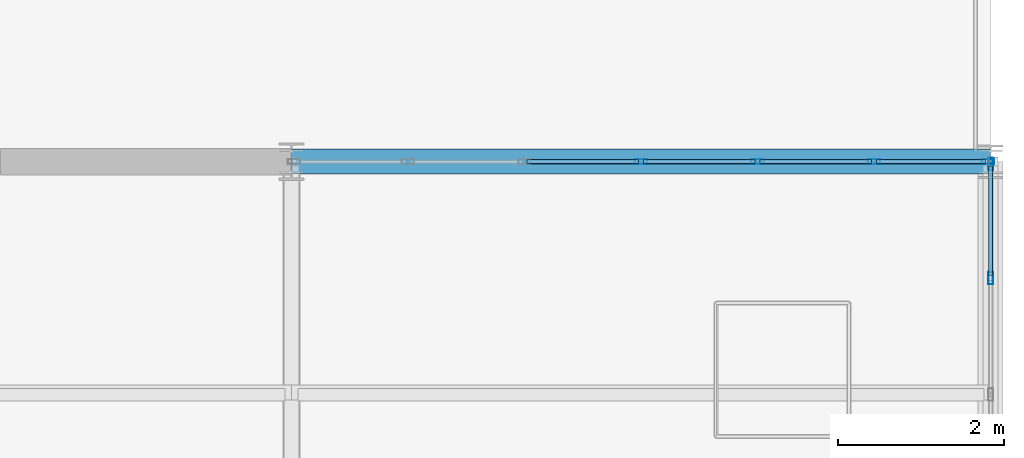
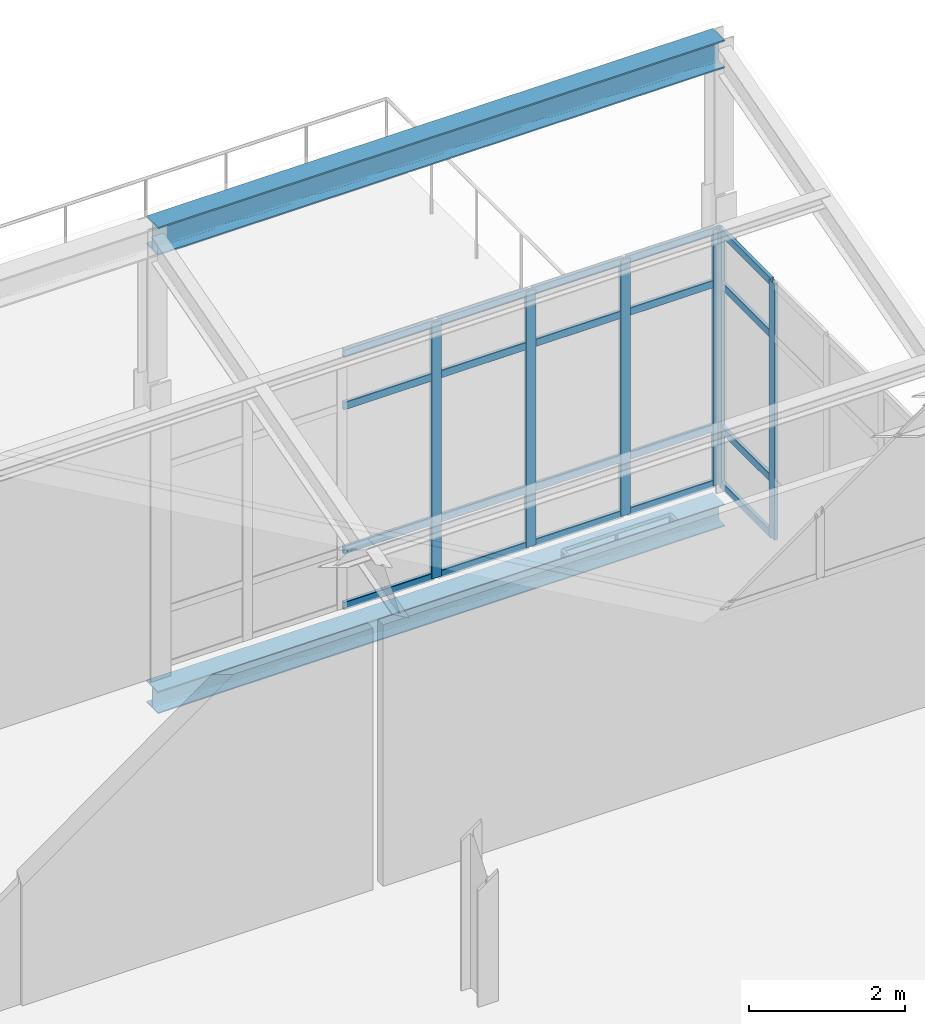
# One storey, part 45 of 53: 26 members, 2 beams, 2 elements without a shape of their own.
"""IFC4 building model written with IfcOpenShell, lengths in metres."""

from ifc_helpers import new_model, si_unit, direction, frame, origin, origin_2d, place, context, subcontext, project, spatial, hollow_rectangle, i_section, extrude, material, layer, layer_set, material_profile, profile_set, type_object, element, aggregate, save


model = new_model("IFC4")

# Units and contexts
model_context = context("Model", 3, precision=1e-05, world=origin(), true_north=direction((0.0, 1.0)))
body_context = subcontext(model_context, "Body", "Model", "MODEL_VIEW")
ifc_project = project(units=[si_unit("LENGTHUNIT", "METRE"), si_unit("AREAUNIT", "SQUARE_METRE"), si_unit("VOLUMEUNIT", "CUBIC_METRE"), si_unit("PLANEANGLEUNIT", "RADIAN"), si_unit("MASSUNIT", "GRAM", prefix="KILO")], contexts=[model_context])

# Site, building, storey
site_placement = place(None, origin())
site = spatial("IfcSite", under=ifc_project, at=site_placement, CompositionType="ELEMENT")
building_placement = place(site_placement, origin())
building = spatial("IfcBuilding", under=site, at=building_placement, Name="Qalvenar Corner Mobility Hub", CompositionType="ELEMENT")
storey_placement = place(building_placement, frame((0.0, 0.0, 26.39990234375)))
storey = spatial("IfcBuildingStorey", under=building, at=storey_placement, Name="L06", CompositionType="ELEMENT", Elevation=26.39990234375)

# Beams
ifc_material_1 = material(Name="Steel S355", Category="steel")
ifc_material_profile_1 = material_profile(ifc_material_1, i_section(OverallWidth=0.300048828125, OverallDepth=0.43994140625, WebThickness=0.011474609375, FlangeThickness=0.02099609375, FilletRadius=0.027099609375, at=origin_2d()), Name="HEA450")
ifc_profile_set_1 = profile_set([ifc_material_profile_1], Name="Steel S355")
beam_type_1 = type_object("IfcBeamType", Name="BM-HEA450", PredefinedType="BEAM", material=ifc_profile_set_1)
beam_1_placement = place(storey_placement, frame((33.60009765625, 33.60009765625, 6.81005859375), z_axis=(1.0, 0.0, 0.0), x_axis=(0.0, 1.0, 0.0)))
element("IfcBeam", 1, at=beam_1_placement, inside=storey, type_object=beam_type_1, Name="Sawtooth Ridge Girder V3RDG-4-5", PredefinedType="BEAM", context=body_context, shape_type="SweptSolid", body=[
    extrude(i_section(OverallWidth=0.300048828125, OverallDepth=0.43994140625, WebThickness=0.011474609375, FlangeThickness=0.02099609375, FilletRadius=0.027099609375, at=origin_2d()), origin(), (0.0, 0.0, 1.0), 8.39990234375),
])
ifc_material_profile_2 = material_profile(ifc_material_1, i_section(OverallWidth=0.300048828125, OverallDepth=0.35009765625, WebThickness=0.010009765625, FlangeThickness=0.017578125, FilletRadius=0.027099609375, at=origin_2d()), Name="HEA360")
ifc_profile_set_2 = profile_set([ifc_material_profile_2], Name="Steel S355")
beam_type_2 = type_object("IfcBeamType", Name="BM-SPN360", PredefinedType="SPANDREL", material=ifc_profile_set_2)
beam_2_placement = place(storey_placement, frame((33.60009765625, 33.60009765625, -0.4169921875), z_axis=(1.0, 0.0, 0.0), x_axis=(0.0, 1.0, 0.0)))
element("IfcBeam", 2, at=beam_2_placement, inside=storey, type_object=beam_type_2, Name="Primary Steel Girder GX-3076", PredefinedType="SPANDREL", context=body_context, shape_type="SweptSolid", body=[
    extrude(i_section(OverallWidth=0.300048828125, OverallDepth=0.35009765625, WebThickness=0.010009765625, FlangeThickness=0.017578125, FilletRadius=0.027099609375, at=origin_2d()), origin(), (0.0, 0.0, 1.0), 8.39990234375),
])

# Curtain wall, members
ifc_material_2 = material(Name="Anodised Aluminium and Low-E Glazing", Category="aluminium")
ifc_layer_1 = layer(ifc_material_2, 0.14990234375)
ifc_layer_set_1 = layer_set([ifc_layer_1], Name="Anodised Aluminium and Low-E Glazing")
curtain_wall_type_1 = type_object("IfcCurtainWallType", Name="CW-CIV-84X40", PredefinedType="NOTDEFINED", material=ifc_layer_set_1)
curtain_wall_1_placement = place(storey_placement, origin())
curtain_wall_1 = element("IfcCurtainWall", 3, at=curtain_wall_1_placement, inside=storey, type_object=curtain_wall_type_1, Name="Glazed Curtain Wall CW-V3-L06-N4", PredefinedType="NOTDEFINED")
ifc_material_3 = material(Name="Anodised Aluminium 6063-T6", Category="aluminium")
ifc_material_profile_3 = material_profile(ifc_material_3, hollow_rectangle(XDim=0.06005859375, YDim=0.14990234375, WallThickness=0.00390625, InnerFilletRadius=0.00390625, OuterFilletRadius=0.008056640625, at=origin_2d()), Name="RHS150x60x4")
ifc_profile_set_3 = profile_set([ifc_material_profile_3], Name="Anodised Aluminium 6063-T6")
member_type_1 = type_object("IfcMemberType", Name="CW-MUL150", PredefinedType="MULLION", material=ifc_profile_set_3)
member_1_placement = place(storey_placement, frame((41.969970703125, 33.60009765625, 0.0), z_axis=(0.0, 0.0, 1.0), x_axis=(0.0, -1.0, 0.0)))
member_1 = element("IfcMember", 4, at=member_1_placement, type_object=member_type_1, Name="CW-05 mullion 1", PredefinedType="MULLION", context=body_context, shape_type="SweptSolid", body=[
    extrude(hollow_rectangle(XDim=0.06005859375, YDim=0.14990234375, WallThickness=0.00390625, InnerFilletRadius=0.00390625, OuterFilletRadius=0.008056640625, at=origin_2d()), origin(), (0.0, 0.0, 1.0), 4.010009765625),
])
member_2_placement = place(storey_placement, frame((40.60009765625, 33.60009765625, 0.0), z_axis=(0.0, 0.0, 1.0), x_axis=(0.0, -1.0, 0.0)))
member_2 = element("IfcMember", 5, at=member_2_placement, type_object=member_type_1, Name="CW-05 mullion 2", PredefinedType="MULLION", context=body_context, shape_type="SweptSolid", body=[
    extrude(hollow_rectangle(XDim=0.06005859375, YDim=0.14990234375, WallThickness=0.00390625, InnerFilletRadius=0.00390625, OuterFilletRadius=0.008056640625, at=origin_2d()), origin(), (0.0, 0.0, 1.0), 4.010009765625),
])
member_3_placement = place(storey_placement, frame((39.199951171875, 33.60009765625, 0.0), z_axis=(0.0, 0.0, 1.0), x_axis=(0.0, -1.0, 0.0)))
member_3 = element("IfcMember", 6, at=member_3_placement, type_object=member_type_1, Name="CW-05 mullion 3", PredefinedType="MULLION", context=body_context, shape_type="SweptSolid", body=[
    extrude(hollow_rectangle(XDim=0.06005859375, YDim=0.14990234375, WallThickness=0.00390625, InnerFilletRadius=0.00390625, OuterFilletRadius=0.008056640625, at=origin_2d()), origin(), (0.0, 0.0, 1.0), 4.010009765625),
])
member_4_placement = place(storey_placement, frame((37.800048828125, 33.60009765625, 0.0), z_axis=(0.0, 0.0, 1.0), x_axis=(0.0, -1.0, 0.0)))
member_4 = element("IfcMember", 7, at=member_4_placement, type_object=member_type_1, Name="CW-05 mullion 4", PredefinedType="MULLION", context=body_context, shape_type="SweptSolid", body=[
    extrude(hollow_rectangle(XDim=0.06005859375, YDim=0.14990234375, WallThickness=0.00390625, InnerFilletRadius=0.00390625, OuterFilletRadius=0.008056640625, at=origin_2d()), origin(), (0.0, 0.0, 1.0), 4.010009765625),
])

ifc_layer_2 = layer(ifc_material_2, 0.14990234375)
ifc_layer_set_2 = layer_set([ifc_layer_2], Name="Anodised Aluminium and Low-E Glazing")
curtain_wall_type_2 = type_object("IfcCurtainWallType", Name="CW-SPT-84X44", PredefinedType="NOTDEFINED", material=ifc_layer_set_2)
curtain_wall_2_placement = place(storey_placement, origin())
curtain_wall_2 = element("IfcCurtainWall", 8, at=curtain_wall_2_placement, inside=storey, type_object=curtain_wall_type_2, Name="Glazed Curtain Wall CW-V3-L06-E3", PredefinedType="NOTDEFINED")
member_5_placement = place(storey_placement, frame((42.0, 32.199951171875, 0.0), z_axis=(0.0, 0.0, 1.0), x_axis=(-1.0, 0.0, 0.0)))
member_5 = element("IfcMember", 9, at=member_5_placement, type_object=member_type_1, Name="CW-06 mullion 6", PredefinedType="MULLION", context=body_context, shape_type="SweptSolid", body=[
    extrude(hollow_rectangle(XDim=0.06005859375, YDim=0.14990234375, WallThickness=0.00390625, InnerFilletRadius=0.00390625, OuterFilletRadius=0.008056640625, at=origin_2d()), origin(), (0.0, 0.0, 1.0), 4.010009765625),
])
member_6_placement = place(storey_placement, frame((42.0, 33.570068359375, 0.0), z_axis=(0.0, 0.0, 1.0), x_axis=(-1.0, 0.0, 0.0)))
member_6 = element("IfcMember", 10, at=member_6_placement, type_object=member_type_1, Name="CW-06 mullion 7", PredefinedType="MULLION", context=body_context, shape_type="SweptSolid", body=[
    extrude(hollow_rectangle(XDim=0.06005859375, YDim=0.14990234375, WallThickness=0.00390625, InnerFilletRadius=0.00390625, OuterFilletRadius=0.008056640625, at=origin_2d()), origin(), (0.0, 0.0, 1.0), 4.010009765625),
])

# Member
ifc_material_profile_4 = material_profile(ifc_material_3, hollow_rectangle(XDim=0.054931640625, YDim=0.1201171875, WallThickness=0.00341796875, InnerFilletRadius=0.00341796875, OuterFilletRadius=0.007080078125, at=origin_2d()), Name="RHS120x55x3.5")
ifc_profile_set_4 = profile_set([ifc_material_profile_4], Name="Anodised Aluminium 6063-T6")
member_type_2 = type_object("IfcMemberType", Name="CW-TRN120", PredefinedType="USERDEFINED", material=ifc_profile_set_4)
member_7_placement = place(storey_placement, frame((41.93994140625, 33.60009765625, 0.027587890625), z_axis=(-1.0, 0.0, 0.0), x_axis=(0.0, -1.0, 0.0)))
member_7 = element("IfcMember", 11, at=member_7_placement, type_object=member_type_2, Name="CW-05 transom 1.1", ObjectType="TRANSOM", PredefinedType="USERDEFINED", context=body_context, shape_type="SweptSolid", body=[
    extrude(hollow_rectangle(XDim=0.054931640625, YDim=0.1201171875, WallThickness=0.00341796875, InnerFilletRadius=0.00341796875, OuterFilletRadius=0.007080078125, at=origin_2d()), origin(), (0.0, 0.0, 1.0), 1.31005859375),
])

member_8_placement = place(storey_placement, frame((41.93994140625, 33.60009765625, 0.900146484375), z_axis=(-1.0, 0.0, 0.0), x_axis=(0.0, -1.0, 0.0)))
member_8 = element("IfcMember", 12, at=member_8_placement, type_object=member_type_2, Name="CW-05 transom 1.2", ObjectType="TRANSOM", PredefinedType="USERDEFINED", context=body_context, shape_type="SweptSolid", body=[
    extrude(hollow_rectangle(XDim=0.054931640625, YDim=0.1201171875, WallThickness=0.00341796875, InnerFilletRadius=0.00341796875, OuterFilletRadius=0.007080078125, at=origin_2d()), origin(), (0.0, 0.0, 1.0), 1.31005859375),
])

member_9_placement = place(storey_placement, frame((41.93994140625, 33.60009765625, 3.16015625), z_axis=(-1.0, 0.0, 0.0), x_axis=(0.0, -1.0, 0.0)))
member_9 = element("IfcMember", 13, at=member_9_placement, type_object=member_type_2, Name="CW-05 transom 1.3", ObjectType="TRANSOM", PredefinedType="USERDEFINED", context=body_context, shape_type="SweptSolid", body=[
    extrude(hollow_rectangle(XDim=0.054931640625, YDim=0.1201171875, WallThickness=0.00341796875, InnerFilletRadius=0.00341796875, OuterFilletRadius=0.007080078125, at=origin_2d()), origin(), (0.0, 0.0, 1.0), 1.31005859375),
])

member_10_placement = place(storey_placement, frame((41.93994140625, 33.60009765625, 3.982666015625), z_axis=(-1.0, 0.0, 0.0), x_axis=(0.0, -1.0, 0.0)))
member_10 = element("IfcMember", 14, at=member_10_placement, type_object=member_type_2, Name="CW-05 transom 1.4", ObjectType="TRANSOM", PredefinedType="USERDEFINED", context=body_context, shape_type="SweptSolid", body=[
    extrude(hollow_rectangle(XDim=0.054931640625, YDim=0.1201171875, WallThickness=0.00341796875, InnerFilletRadius=0.00341796875, OuterFilletRadius=0.007080078125, at=origin_2d()), origin(), (0.0, 0.0, 1.0), 1.31005859375),
])

member_11_placement = place(storey_placement, frame((40.570068359375, 33.60009765625, 0.027587890625), z_axis=(-1.0, 0.0, 0.0), x_axis=(0.0, -1.0, 0.0)))
member_11 = element("IfcMember", 15, at=member_11_placement, type_object=member_type_2, Name="CW-05 transom 2.1", ObjectType="TRANSOM", PredefinedType="USERDEFINED", context=body_context, shape_type="SweptSolid", body=[
    extrude(hollow_rectangle(XDim=0.054931640625, YDim=0.1201171875, WallThickness=0.00341796875, InnerFilletRadius=0.00341796875, OuterFilletRadius=0.007080078125, at=origin_2d()), origin(), (0.0, 0.0, 1.0), 1.340087890625),
])

member_12_placement = place(storey_placement, frame((40.570068359375, 33.60009765625, 0.900146484375), z_axis=(-1.0, 0.0, 0.0), x_axis=(0.0, -1.0, 0.0)))
member_12 = element("IfcMember", 16, at=member_12_placement, type_object=member_type_2, Name="CW-05 transom 2.2", ObjectType="TRANSOM", PredefinedType="USERDEFINED", context=body_context, shape_type="SweptSolid", body=[
    extrude(hollow_rectangle(XDim=0.054931640625, YDim=0.1201171875, WallThickness=0.00341796875, InnerFilletRadius=0.00341796875, OuterFilletRadius=0.007080078125, at=origin_2d()), origin(), (0.0, 0.0, 1.0), 1.340087890625),
])

member_13_placement = place(storey_placement, frame((40.570068359375, 33.60009765625, 3.16015625), z_axis=(-1.0, 0.0, 0.0), x_axis=(0.0, -1.0, 0.0)))
member_13 = element("IfcMember", 17, at=member_13_placement, type_object=member_type_2, Name="CW-05 transom 2.3", ObjectType="TRANSOM", PredefinedType="USERDEFINED", context=body_context, shape_type="SweptSolid", body=[
    extrude(hollow_rectangle(XDim=0.054931640625, YDim=0.1201171875, WallThickness=0.00341796875, InnerFilletRadius=0.00341796875, OuterFilletRadius=0.007080078125, at=origin_2d()), origin(), (0.0, 0.0, 1.0), 1.340087890625),
])

member_14_placement = place(storey_placement, frame((40.570068359375, 33.60009765625, 3.982666015625), z_axis=(-1.0, 0.0, 0.0), x_axis=(0.0, -1.0, 0.0)))
member_14 = element("IfcMember", 18, at=member_14_placement, type_object=member_type_2, Name="CW-05 transom 2.4", ObjectType="TRANSOM", PredefinedType="USERDEFINED", context=body_context, shape_type="SweptSolid", body=[
    extrude(hollow_rectangle(XDim=0.054931640625, YDim=0.1201171875, WallThickness=0.00341796875, InnerFilletRadius=0.00341796875, OuterFilletRadius=0.007080078125, at=origin_2d()), origin(), (0.0, 0.0, 1.0), 1.340087890625),
])

member_15_placement = place(storey_placement, frame((39.169921875, 33.60009765625, 0.027587890625), z_axis=(-1.0, 0.0, 0.0), x_axis=(0.0, -1.0, 0.0)))
member_15 = element("IfcMember", 19, at=member_15_placement, type_object=member_type_2, Name="CW-05 transom 3.1", ObjectType="TRANSOM", PredefinedType="USERDEFINED", context=body_context, shape_type="SweptSolid", body=[
    extrude(hollow_rectangle(XDim=0.054931640625, YDim=0.1201171875, WallThickness=0.00341796875, InnerFilletRadius=0.00341796875, OuterFilletRadius=0.007080078125, at=origin_2d()), origin(), (0.0, 0.0, 1.0), 1.33984375),
])

member_16_placement = place(storey_placement, frame((39.169921875, 33.60009765625, 0.900146484375), z_axis=(-1.0, 0.0, 0.0), x_axis=(0.0, -1.0, 0.0)))
member_16 = element("IfcMember", 20, at=member_16_placement, type_object=member_type_2, Name="CW-05 transom 3.2", ObjectType="TRANSOM", PredefinedType="USERDEFINED", context=body_context, shape_type="SweptSolid", body=[
    extrude(hollow_rectangle(XDim=0.054931640625, YDim=0.1201171875, WallThickness=0.00341796875, InnerFilletRadius=0.00341796875, OuterFilletRadius=0.007080078125, at=origin_2d()), origin(), (0.0, 0.0, 1.0), 1.33984375),
])

member_17_placement = place(storey_placement, frame((39.169921875, 33.60009765625, 3.16015625), z_axis=(-1.0, 0.0, 0.0), x_axis=(0.0, -1.0, 0.0)))
member_17 = element("IfcMember", 21, at=member_17_placement, type_object=member_type_2, Name="CW-05 transom 3.3", ObjectType="TRANSOM", PredefinedType="USERDEFINED", context=body_context, shape_type="SweptSolid", body=[
    extrude(hollow_rectangle(XDim=0.054931640625, YDim=0.1201171875, WallThickness=0.00341796875, InnerFilletRadius=0.00341796875, OuterFilletRadius=0.007080078125, at=origin_2d()), origin(), (0.0, 0.0, 1.0), 1.33984375),
])

member_18_placement = place(storey_placement, frame((39.169921875, 33.60009765625, 3.982666015625), z_axis=(-1.0, 0.0, 0.0), x_axis=(0.0, -1.0, 0.0)))
member_18 = element("IfcMember", 22, at=member_18_placement, type_object=member_type_2, Name="CW-05 transom 3.4", ObjectType="TRANSOM", PredefinedType="USERDEFINED", context=body_context, shape_type="SweptSolid", body=[
    extrude(hollow_rectangle(XDim=0.054931640625, YDim=0.1201171875, WallThickness=0.00341796875, InnerFilletRadius=0.00341796875, OuterFilletRadius=0.007080078125, at=origin_2d()), origin(), (0.0, 0.0, 1.0), 1.33984375),
])

member_19_placement = place(storey_placement, frame((37.77001953125, 33.60009765625, 0.027587890625), z_axis=(-1.0, 0.0, 0.0), x_axis=(0.0, -1.0, 0.0)))
member_19 = element("IfcMember", 23, at=member_19_placement, type_object=member_type_2, Name="CW-05 transom 4.1", ObjectType="TRANSOM", PredefinedType="USERDEFINED", context=body_context, shape_type="SweptSolid", body=[
    extrude(hollow_rectangle(XDim=0.054931640625, YDim=0.1201171875, WallThickness=0.00341796875, InnerFilletRadius=0.00341796875, OuterFilletRadius=0.007080078125, at=origin_2d()), origin(), (0.0, 0.0, 1.0), 1.340087890625),
])

member_20_placement = place(storey_placement, frame((37.77001953125, 33.60009765625, 0.900146484375), z_axis=(-1.0, 0.0, 0.0), x_axis=(0.0, -1.0, 0.0)))
member_20 = element("IfcMember", 24, at=member_20_placement, type_object=member_type_2, Name="CW-05 transom 4.2", ObjectType="TRANSOM", PredefinedType="USERDEFINED", context=body_context, shape_type="SweptSolid", body=[
    extrude(hollow_rectangle(XDim=0.054931640625, YDim=0.1201171875, WallThickness=0.00341796875, InnerFilletRadius=0.00341796875, OuterFilletRadius=0.007080078125, at=origin_2d()), origin(), (0.0, 0.0, 1.0), 1.340087890625),
])

member_21_placement = place(storey_placement, frame((37.77001953125, 33.60009765625, 3.16015625), z_axis=(-1.0, 0.0, 0.0), x_axis=(0.0, -1.0, 0.0)))
member_21 = element("IfcMember", 25, at=member_21_placement, type_object=member_type_2, Name="CW-05 transom 4.3", ObjectType="TRANSOM", PredefinedType="USERDEFINED", context=body_context, shape_type="SweptSolid", body=[
    extrude(hollow_rectangle(XDim=0.054931640625, YDim=0.1201171875, WallThickness=0.00341796875, InnerFilletRadius=0.00341796875, OuterFilletRadius=0.007080078125, at=origin_2d()), origin(), (0.0, 0.0, 1.0), 1.340087890625),
])

member_22_placement = place(storey_placement, frame((37.77001953125, 33.60009765625, 3.982666015625), z_axis=(-1.0, 0.0, 0.0), x_axis=(0.0, -1.0, 0.0)))
member_22 = element("IfcMember", 26, at=member_22_placement, type_object=member_type_2, Name="CW-05 transom 4.4", ObjectType="TRANSOM", PredefinedType="USERDEFINED", context=body_context, shape_type="SweptSolid", body=[
    extrude(hollow_rectangle(XDim=0.054931640625, YDim=0.1201171875, WallThickness=0.00341796875, InnerFilletRadius=0.00341796875, OuterFilletRadius=0.007080078125, at=origin_2d()), origin(), (0.0, 0.0, 1.0), 1.340087890625),
])

aggregate(curtain_wall_1, [member_1, member_2, member_3, member_4, member_7, member_8, member_9, member_10, member_11, member_12, member_13, member_14, member_15, member_16, member_17, member_18, member_19, member_20, member_21, member_22])

member_23_placement = place(storey_placement, frame((42.0, 32.22998046875, 0.027587890625), z_axis=(0.0, 1.0, 0.0), x_axis=(-1.0, 0.0, 0.0)))
member_23 = element("IfcMember", 27, at=member_23_placement, type_object=member_type_2, Name="CW-06 transom 6.1", ObjectType="TRANSOM", PredefinedType="USERDEFINED", context=body_context, shape_type="SweptSolid", body=[
    extrude(hollow_rectangle(XDim=0.054931640625, YDim=0.1201171875, WallThickness=0.00341796875, InnerFilletRadius=0.00341796875, OuterFilletRadius=0.007080078125, at=origin_2d()), origin(), (0.0, 0.0, 1.0), 1.31005859375),
])

member_24_placement = place(storey_placement, frame((42.0, 32.22998046875, 0.900146484375), z_axis=(0.0, 1.0, 0.0), x_axis=(-1.0, 0.0, 0.0)))
member_24 = element("IfcMember", 28, at=member_24_placement, type_object=member_type_2, Name="CW-06 transom 6.2", ObjectType="TRANSOM", PredefinedType="USERDEFINED", context=body_context, shape_type="SweptSolid", body=[
    extrude(hollow_rectangle(XDim=0.054931640625, YDim=0.1201171875, WallThickness=0.00341796875, InnerFilletRadius=0.00341796875, OuterFilletRadius=0.007080078125, at=origin_2d()), origin(), (0.0, 0.0, 1.0), 1.31005859375),
])

member_25_placement = place(storey_placement, frame((42.0, 32.22998046875, 3.16015625), z_axis=(0.0, 1.0, 0.0), x_axis=(-1.0, 0.0, 0.0)))
member_25 = element("IfcMember", 29, at=member_25_placement, type_object=member_type_2, Name="CW-06 transom 6.3", ObjectType="TRANSOM", PredefinedType="USERDEFINED", context=body_context, shape_type="SweptSolid", body=[
    extrude(hollow_rectangle(XDim=0.054931640625, YDim=0.1201171875, WallThickness=0.00341796875, InnerFilletRadius=0.00341796875, OuterFilletRadius=0.007080078125, at=origin_2d()), origin(), (0.0, 0.0, 1.0), 1.31005859375),
])

member_26_placement = place(storey_placement, frame((42.0, 32.22998046875, 3.982666015625), z_axis=(0.0, 1.0, 0.0), x_axis=(-1.0, 0.0, 0.0)))
member_26 = element("IfcMember", 30, at=member_26_placement, type_object=member_type_2, Name="CW-06 transom 6.4", ObjectType="TRANSOM", PredefinedType="USERDEFINED", context=body_context, shape_type="SweptSolid", body=[
    extrude(hollow_rectangle(XDim=0.054931640625, YDim=0.1201171875, WallThickness=0.00341796875, InnerFilletRadius=0.00341796875, OuterFilletRadius=0.007080078125, at=origin_2d()), origin(), (0.0, 0.0, 1.0), 1.31005859375),
])

aggregate(curtain_wall_2, [member_5, member_6, member_23, member_24, member_25, member_26])

save(model, "model.ifc")
